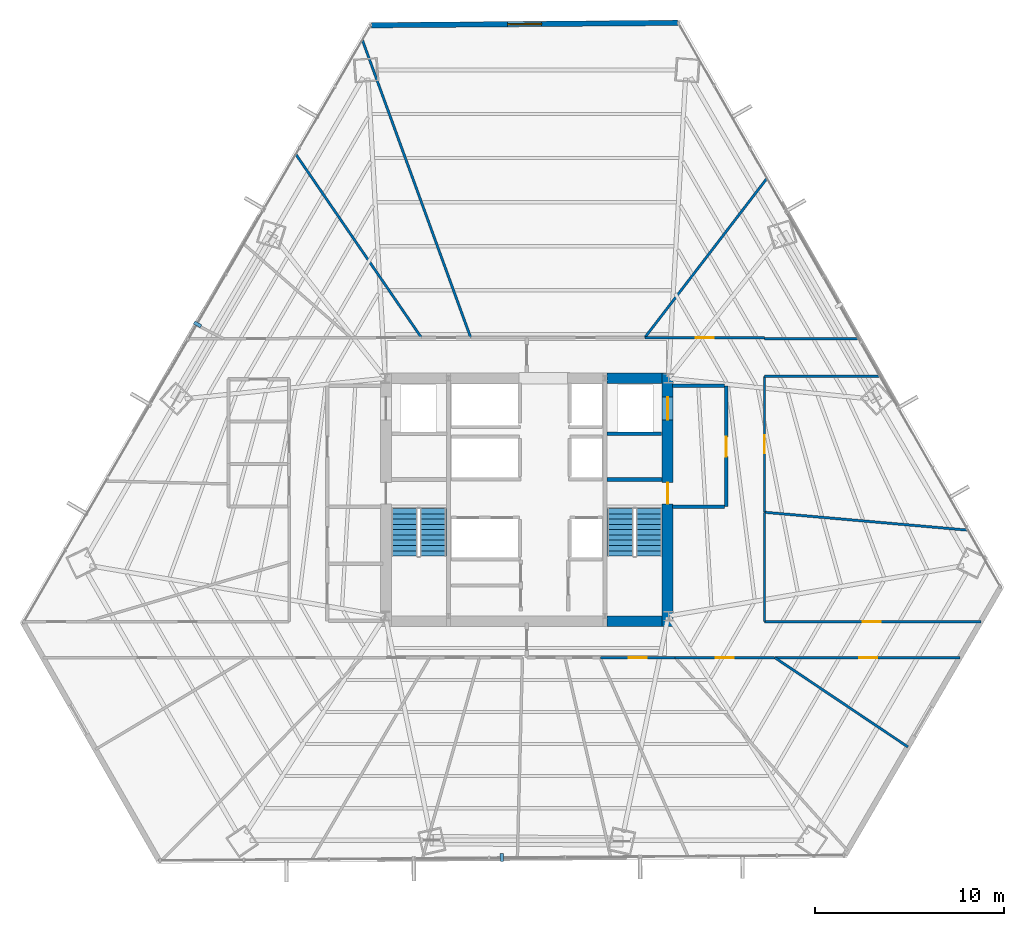
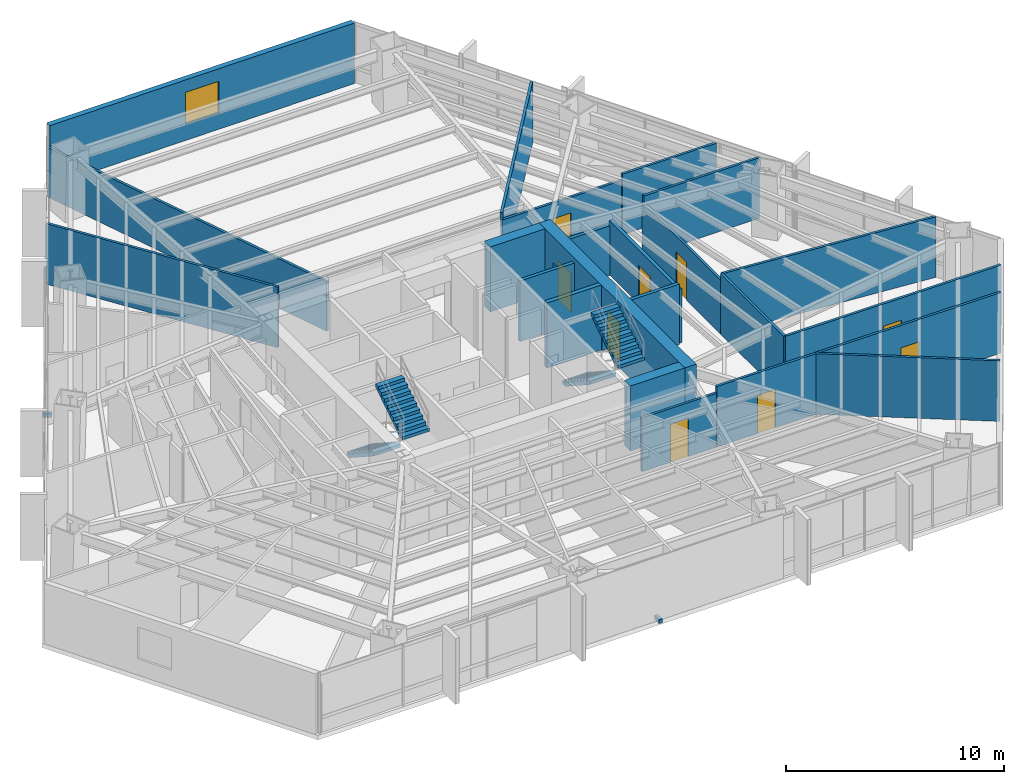
# One storey, part 32 of 36: 23 walls, 9 doors, 4 stair flights, 2 discrete accessories, 1 window, 10 openings, 2 elements without a shape of their own.
"""IFC4 building model written with IfcOpenShell, lengths in metres."""

import ifcopenshell
import ifcopenshell.guid

model = None  # the IFC model being written
_history = None  # IfcOwnerHistory: only IFC2X3 demands one
_inside = {}  # id of a spatial element -> (the spatial element, [elements in it])
_under = {}  # id of a project, library or spatial element -> (it, [spatial elements below it])
_declared = {}  # id of a project -> (the project, [libraries it declares])
_typed = {}  # id of a type object -> (the type object, [elements of that type])
_made_of = {}  # id of a material, layer set ... -> (it, [elements and type objects made of it])


def new_model(schema):
    """Start an empty IFC model of exactly this schema.

    Asked for "IFC4X3", IfcOpenShell would pick the latest addendum, in which some entities
    have other attributes; the version numbers below select the first issue.
    IFC2X3 requires an IfcOwnerHistory on every rooted entity: one is made here for all.
    """
    global model, _history
    if schema == "IFC4X3":
        model = ifcopenshell.file(schema_version=(4, 3, 0, 0))
    else:
        model = ifcopenshell.file(schema=schema)
    _inside.clear()
    _under.clear()
    _declared.clear()
    _typed.clear()
    _made_of.clear()
    _history = None
    if model.schema == "IFC2X3":
        org = make("IfcOrganization", Name="unknown")
        user = make(
            "IfcPersonAndOrganization",
            ThePerson=make("IfcPerson", FamilyName="unknown"),
            TheOrganization=org,
        )
        app = make(
            "IfcApplication",
            ApplicationDeveloper=org,
            Version="unknown",
            ApplicationFullName="unknown",
            ApplicationIdentifier="unknown",
        )
        _history = make(
            "IfcOwnerHistory",
            OwningUser=user,
            OwningApplication=app,
            ChangeAction="ADDED",
            CreationDate=0,
        )
    return model


def make(cls, **values):
    """One entity of the class cls with the attributes given. An attribute that is None is left unset."""
    return model.create_entity(
        cls, **{name: value for name, value in values.items() if value is not None}
    )


def rooted(cls, **values):
    """An entity with a GlobalId (a new one), such as an element, a storey or a relation."""
    return make(cls, GlobalId=ifcopenshell.guid.new(), OwnerHistory=_history, **values)


def si_unit(unit_type, name, prefix=None):
    """IfcSIUnit, for example si_unit("LENGTHUNIT", "METRE", prefix="MILLI")."""
    return make("IfcSIUnit", UnitType=unit_type, Prefix=prefix, Name=name)


def assignment(units):
    """IfcUnitAssignment: the units of a project."""
    return None if units is None else make("IfcUnitAssignment", Units=units)


def point(xyz):
    """IfcCartesianPoint."""
    return None if xyz is None else make("IfcCartesianPoint", Coordinates=xyz)


def direction(xyz):
    """IfcDirection."""
    return None if xyz is None else make("IfcDirection", DirectionRatios=xyz)


def frame(location, z_axis=None, x_axis=None):
    """IfcAxis2Placement3D, a coordinate frame: its origin and axes. An axis left out is left unset."""
    return make(
        "IfcAxis2Placement3D",
        Location=point(location),
        Axis=direction(z_axis),
        RefDirection=direction(x_axis),
    )


def frame_2d(location, x_axis=None):
    """IfcAxis2Placement2D, a coordinate frame in the plane: its origin and x axis."""
    return make(
        "IfcAxis2Placement2D", Location=point(location), RefDirection=direction(x_axis)
    )


def origin():
    """The frame at (0, 0, 0) with its axes left unset."""
    return frame((0.0, 0.0, 0.0))


def origin_2d():
    """The frame at (0, 0) in the plane with its x axis left unset."""
    return frame_2d((0.0, 0.0))


def place(relative_to, where):
    """IfcLocalPlacement: puts the frame where relative to a parent placement (None: the world)."""
    return make(
        "IfcLocalPlacement", PlacementRelTo=relative_to, RelativePlacement=where
    )


def context(
    kind, dimensions, precision=None, world=None, true_north=None, identifier=None
):
    """IfcGeometricRepresentationContext, for example the 3D "Model" context."""
    return make(
        "IfcGeometricRepresentationContext",
        ContextIdentifier=identifier,
        ContextType=kind,
        CoordinateSpaceDimension=dimensions,
        Precision=precision,
        WorldCoordinateSystem=world,
        TrueNorth=true_north,
    )


def subcontext(parent, identifier, kind, view, scale=None):
    """IfcGeometricRepresentationSubContext, for example "Body" below "Model"."""
    return make(
        "IfcGeometricRepresentationSubContext",
        ContextIdentifier=identifier,
        ContextType=kind,
        ParentContext=parent,
        TargetScale=scale,
        TargetView=view,
    )


def project(units=None, contexts=None):
    """IfcProject with its units and contexts."""
    return rooted(
        "IfcProject",
        Name="project",
        RepresentationContexts=contexts,
        UnitsInContext=assignment(units),
    )


def spatial(cls, under=None, at=None, **own):
    """A site, building, storey or space (cls), placed at a placement, below another one or the project."""
    s = rooted(cls, ObjectPlacement=at, **own)
    if under is not None:
        _under.setdefault(under.id(), (under, []))[1].append(s)
    return s


def polyline(points):
    """IfcPolyline through the points."""
    return make("IfcPolyline", Points=[point(p) for p in points])


def profile(cls, at=None, kind="AREA", **sizes):
    """A parametric profile (cls). Its sizes go by their IFC names, for example OverallWidth=200.0."""
    return make(cls, ProfileType=kind, Position=at, **sizes)


def rectangle(**sizes):
    """IfcRectangleProfileDef."""
    return profile("IfcRectangleProfileDef", **sizes)


def outline(outer, holes=None, kind="AREA"):
    """IfcArbitraryClosedProfileDef: a profile drawn as a closed curve; with holes, ...WithVoids."""
    if holes is None:
        return make("IfcArbitraryClosedProfileDef", ProfileType=kind, OuterCurve=outer)
    return make(
        "IfcArbitraryProfileDefWithVoids",
        ProfileType=kind,
        OuterCurve=outer,
        InnerCurves=holes,
    )


def extrude(swept, where, along, depth):
    """IfcExtrudedAreaSolid: the profile swept, set in the frame where, extruded along a direction by depth."""
    return make(
        "IfcExtrudedAreaSolid",
        SweptArea=swept,
        Position=where,
        ExtrudedDirection=direction(along),
        Depth=depth,
    )


def shape(context_of_items, identifier, shape_type, items):
    """IfcShapeRepresentation: the items that make up one representation, for example the "Body"."""
    return make(
        "IfcShapeRepresentation",
        ContextOfItems=context_of_items,
        RepresentationIdentifier=identifier,
        RepresentationType=shape_type,
        Items=items,
    )


def source(mapping_origin, context_of_items, identifier, shape_type, items):
    """IfcRepresentationMap: a shape defined once, which mapped items show again and again."""
    return make(
        "IfcRepresentationMap",
        MappingOrigin=mapping_origin,
        MappedRepresentation=shape(context_of_items, identifier, shape_type, items),
    )


def transform(
    local_origin,
    x_axis=None,
    y_axis=None,
    z_axis=None,
    scale=None,
    scale2=None,
    scale3=None,
    uniform=True,
):
    """IfcCartesianTransformationOperator3D, or its non-uniform kind. x_axis, y_axis, z_axis: its Axis1, 2, 3."""
    if uniform:
        return make(
            "IfcCartesianTransformationOperator3D",
            Axis1=direction(x_axis),
            Axis2=direction(y_axis),
            LocalOrigin=point(local_origin),
            Scale=scale,
            Axis3=direction(z_axis),
        )
    return make(
        "IfcCartesianTransformationOperator3DnonUniform",
        Axis1=direction(x_axis),
        Axis2=direction(y_axis),
        LocalOrigin=point(local_origin),
        Scale=scale,
        Axis3=direction(z_axis),
        Scale2=scale2,
        Scale3=scale3,
    )


def mapped(mapping_source, mapping_target):
    """IfcMappedItem: shows the shape of a source again, moved by a transform."""
    return make(
        "IfcMappedItem", MappingSource=mapping_source, MappingTarget=mapping_target
    )


def material(Name=None, Category=None):
    """IfcMaterial."""
    return make("IfcMaterial", Name=Name, Category=Category)


def layer(
    of_material, thickness, ventilated=None, Name=None, Category=None, Priority=None
):
    """IfcMaterialLayer: one layer of a wall or slab, of a material (None: an air gap)."""
    return make(
        "IfcMaterialLayer",
        Material=of_material,
        LayerThickness=thickness,
        IsVentilated=ventilated,
        Name=Name,
        Category=Category,
        Priority=Priority,
    )


def layer_set(layers, Name=None):
    """IfcMaterialLayerSet."""
    return make("IfcMaterialLayerSet", MaterialLayers=layers, LayerSetName=Name)


def made_of(thing, what):
    """Note that an element or type object is made of a material, layer set ...; save() writes the relation."""
    if what is not None:
        _made_of.setdefault(what.id(), (what, []))[1].append(thing)
    return thing


def type_object(cls, material=None, **own):
    """A type object (cls), such as IfcWallType, which elements share."""
    return made_of(rooted(cls, **own), material)


def type_shapes(of_type, sources):
    """Give a type object the sources (RepresentationMaps) that its elements show as mapped items."""
    of_type.RepresentationMaps = sources


def element(
    cls,
    number,
    at=None,
    inside=None,
    cuts=None,
    type_object=None,
    material=None,
    context=None,
    identifier="Body",
    shape_type=None,
    held_by="IfcProductDefinitionShape",
    body=None,
    shapes=None,
    **own,
):
    """One element of the class cls, such as IfcWall. Its Tag is "e" and its number.

    at: its placement. inside: the storey or other place that contains it. cuts: it is an
    opening in that element (IfcRelVoidsElement). A single representation is given by context,
    identifier, shape_type and body (its items); several are given by shapes. held_by: the class
    of the entity that holds the representations. save() writes the other relations.
    """
    e = rooted(cls, Tag="e%d" % number, ObjectPlacement=at, **own)
    if body is not None:
        shapes = [shape(context, identifier, shape_type, body)]
    if shapes is not None:
        e.Representation = make(held_by, Representations=shapes)
    if inside is not None:
        _inside.setdefault(inside.id(), (inside, []))[1].append(e)
    if cuts is not None:
        rooted(
            "IfcRelVoidsElement", RelatingBuildingElement=cuts, RelatedOpeningElement=e
        )
    if type_object is not None:
        _typed.setdefault(type_object.id(), (type_object, []))[1].append(e)
    return made_of(e, material)


def fill(opening, filler):
    """IfcRelFillsElement: the door or window that sits in an opening."""
    return rooted(
        "IfcRelFillsElement",
        RelatingOpeningElement=opening,
        RelatedBuildingElement=filler,
    )


def aggregate(whole, parts):
    """IfcRelAggregates: a whole, such as a stair, and the parts it consists of."""
    return rooted("IfcRelAggregates", RelatingObject=whole, RelatedObjects=parts)


def save(model, path):
    """Write the relations noted so far, then the file.

    IfcRelAggregates (storeys below a building ...), IfcRelContainedInSpatialStructure (elements
    in a storey), IfcRelDefinesByType, IfcRelAssociatesMaterial and IfcRelDeclares: one each for
    every whole, place, type object, material and project.
    """
    for whole, parts in _under.values():
        aggregate(whole, parts)
    for where, things in _inside.values():
        rooted(
            "IfcRelContainedInSpatialStructure",
            RelatedElements=things,
            RelatingStructure=where,
        )
    for kind, things in _typed.values():
        rooted("IfcRelDefinesByType", RelatedObjects=things, RelatingType=kind)
    for what, things in _made_of.values():
        rooted("IfcRelAssociatesMaterial", RelatedObjects=things, RelatingMaterial=what)
    for by, libraries in _declared.values():
        rooted("IfcRelDeclares", RelatingContext=by, RelatedDefinitions=libraries)
    model.write(path)


model = new_model("IFC4")

# Units and contexts
model_context = context("Model", 3, precision=1e-05, world=origin(), true_north=direction((0.0, 1.0)))
body_context = subcontext(model_context, "Body", "Model", "MODEL_VIEW")
ifc_project = project(units=[si_unit("LENGTHUNIT", "METRE"), si_unit("AREAUNIT", "SQUARE_METRE"), si_unit("VOLUMEUNIT", "CUBIC_METRE"), si_unit("PLANEANGLEUNIT", "RADIAN"), si_unit("MASSUNIT", "GRAM", prefix="KILO")], contexts=[model_context])

# Site, building, storey
site_placement = place(None, origin())
site = spatial("IfcSite", under=ifc_project, at=site_placement, CompositionType="ELEMENT")
building_placement = place(site_placement, origin())
building = spatial("IfcBuilding", under=site, at=building_placement, Name="Caelisora Broadcast Tower", CompositionType="ELEMENT")
storey_placement = place(building_placement, frame((0.0, 0.0, 60.449951171875)))
storey = spatial("IfcBuildingStorey", under=building, at=storey_placement, Name="L15", CompositionType="ELEMENT", Elevation=60.449951171875)

# Wall, openings, doors
ifc_material_1 = material(Name="Concrete 65 MPa (AS 3600 S65)", Category="concrete")
ifc_layer_1 = layer(ifc_material_1, 0.60009765625, Name="Concrete 65 MPa (AS 3600 S65)")
ifc_layer_set_1 = layer_set([ifc_layer_1], Name="Concrete 65 MPa (AS 3600 S65)")
wall_type_1 = type_object("IfcWallType", Name="CW1", PredefinedType="SHEAR", material=ifc_layer_set_1)
wall_1_placement = place(storey_placement, frame((45.4599609375, 16.85009765625, 0.0), z_axis=(0.0, 0.0, 1.0), x_axis=(0.0, 1.0, 0.0)))
wall_1 = element("IfcWall", 1, at=wall_1_placement, inside=storey, type_object=wall_type_1, Name="L15 core shear wall CW1", PredefinedType="SHEAR", context=body_context, shape_type="SweptSolid", body=[
    extrude(rectangle(XDim=13.4248046875, YDim=0.60009765625, at=frame_2d((6.71240234375, 0.0))), origin(), (0.0, 0.0, 1.0), 3.650146484375),
])
opening_1_placement = place(wall_1_placement, frame((6.5, 0.0, 0.0)))
opening_1 = element("IfcOpeningElement", 2, at=opening_1_placement, cuts=wall_1, Name="Opening FD04", PredefinedType="OPENING", context=body_context, shape_type="SweptSolid", body=[
    extrude(rectangle(XDim=1.1201171875, YDim=2.14990234375, at=frame_2d((0.56005859375, 1.074951171875))), frame((0.0, 0.31201171875, 0.0), z_axis=(0.0, -1.0, 0.0), x_axis=(1.0, 0.0, 0.0)), (0.0, 0.0, 1.0), 0.6240234375),
])
opening_2_placement = place(wall_1_placement, frame((10.949951171875, 0.0, 0.0)))
opening_2 = element("IfcOpeningElement", 3, at=opening_2_placement, cuts=wall_1, Name="Opening LD04", PredefinedType="OPENING", context=body_context, shape_type="SweptSolid", body=[
    extrude(rectangle(XDim=1.199951171875, YDim=2.199951171875, at=frame_2d((0.60009765625, 1.10009765625))), frame((0.0, 0.31201171875, 0.0), z_axis=(0.0, -1.0, 0.0), x_axis=(1.0, 0.0, 0.0)), (0.0, 0.0, 1.0), 0.6240234375),
])
ifc_material_2 = material(Name="Pressurised Fire-Isolated Stair Door", Category="steel")
door_type_1 = type_object("IfcDoorType", Name="FD04", OperationType="NOTDEFINED", PredefinedType="DOOR", material=ifc_material_2)
door_1_placement = place(opening_1_placement, origin())
door_1 = element("IfcDoor", 4, at=door_1_placement, inside=storey, type_object=door_type_1, Name="L15 door FD04 (L15-DR-ST2)", OperationType="SINGLE_SWING_RIGHT", OverallHeight=2.14990234375, OverallWidth=1.1201171875, PredefinedType="DOOR", context=body_context, shape_type="SweptSolid", body=[
    extrude(rectangle(XDim=1.1201171875, YDim=2.14990234375, at=frame_2d((0.56005859375, 1.074951171875))), frame((0.0, 0.02490234375, 0.0), z_axis=(0.0, -1.0, 0.0), x_axis=(1.0, 0.0, 0.0)), (0.0, 0.0, 1.0), 0.050048828125),
])
fill(opening_1, door_1)
ifc_material_3 = material(Name="Emergency Firefighting Lift Sliding Landing Door", Category="steel")
door_type_2 = type_object("IfcDoorType", Name="LD04", OperationType="NOTDEFINED", PredefinedType="DOOR", material=ifc_material_3)
door_2_placement = place(opening_2_placement, origin())
door_2 = element("IfcDoor", 5, at=door_2_placement, inside=storey, type_object=door_type_2, Name="L15 door LD04 (L15-LD-FFL2)", OperationType="SLIDING_TO_RIGHT", OverallHeight=2.199951171875, OverallWidth=1.199951171875, PredefinedType="DOOR", context=body_context, shape_type="SweptSolid", body=[
    extrude(rectangle(XDim=1.199951171875, YDim=2.199951171875, at=frame_2d((0.60009765625, 1.10009765625))), frame((0.0, 0.02490234375, 0.0), z_axis=(0.0, -1.0, 0.0), x_axis=(1.0, 0.0, 0.0)), (0.0, 0.0, 1.0), 0.050048828125),
])
fill(opening_2, door_2)

# Walls
ifc_layer_2 = layer(ifc_material_1, 0.550048828125, Name="Concrete 65 MPa (AS 3600 S65)")
ifc_layer_set_2 = layer_set([ifc_layer_2], Name="Concrete 65 MPa (AS 3600 S65)")
wall_type_2 = type_object("IfcWallType", Name="CW4", PredefinedType="SHEAR", material=ifc_layer_set_2)
for number, where, z_axis, x_axis, name in (
    (6, (42.260009765625, 17.125, 0.0), (0.0, 0.0, 1.0), (1.0, 0.0, 0.0), "L15 core shear wall CW4"),
    (7, (42.260009765625, 30.0, 0.0), (0.0, 0.0, 1.0), (1.0, 0.0, 0.0), "L15 core shear wall CW4"),
):
    element("IfcWall", number, at=place(storey_placement, frame(where, z_axis=z_axis, x_axis=x_axis)), inside=storey, type_object=wall_type_2, Name=name, PredefinedType="SHEAR", context=body_context, shape_type="SweptSolid", body=[
        extrude(rectangle(XDim=2.89990234375, YDim=0.550048828125, at=frame_2d((1.449951171875, 0.0))), origin(), (0.0, 0.0, 1.0), 3.650146484375),
    ])
ifc_material_4 = material(Name="Concrete 50 MPa (AS 3600 S50)", Category="concrete")
ifc_layer_3 = layer(ifc_material_4, 0.219970703125, Name="Concrete 50 MPa (AS 3600 S50)")
ifc_layer_set_3 = layer_set([ifc_layer_3], Name="Concrete 50 MPa (AS 3600 S50)")
wall_type_3 = type_object("IfcWallType", Name="CW7", PredefinedType="SHEAR", material=ifc_layer_set_3)
wall_2_placement = place(storey_placement, frame((42.260009765625, 24.639892578125, 0.0), z_axis=(0.0, 0.0, 1.0), x_axis=(1.0, 0.0, 0.0)))
element("IfcWall", 8, at=wall_2_placement, inside=storey, type_object=wall_type_3, Name="L15 core shear wall CW7", PredefinedType="SHEAR", context=body_context, shape_type="SweptSolid", body=[
    extrude(rectangle(XDim=2.89990234375, YDim=0.219970703125, at=frame_2d((1.449951171875, 0.0))), origin(), (0.0, 0.0, 1.0), 3.650146484375),
])

# Wall, opening, window
ifc_material_5 = material(Name="Insulated Terracotta Spandrel Wall System", Category="masonry")
ifc_layer_4 = layer(ifc_material_5, 0.280029296875, Name="Insulated Terracotta Spandrel Wall System")
ifc_layer_set_4 = layer_set([ifc_layer_4], Name="Insulated Terracotta Spandrel Wall System")
wall_type_4 = type_object("IfcWallType", Name="EW1", PredefinedType="STANDARD", material=ifc_layer_set_4)
wall_3_placement = place(storey_placement, frame((29.77099609375, 48.709228515625, 0.0), z_axis=(0.0, 0.0, 1.0), x_axis=(0.999968583152, 0.007926708633, 0.0)))
wall_3 = element("IfcWall", 9, at=wall_3_placement, inside=storey, type_object=wall_type_4, Name="L15 exterior envelope wall EW1", PredefinedType="STANDARD", context=body_context, shape_type="SweptSolid", body=[
    extrude(rectangle(XDim=16.2314453125, YDim=0.280029296875, at=frame_2d((8.11572265625, 0.0))), origin(), (0.0, 0.0, 1.0), 3.400146484375),
])
opening_3_placement = place(wall_3_placement, frame((7.219970703125, 0.0, 0.89990234375)))
opening_3 = element("IfcOpeningElement", 10, at=opening_3_placement, cuts=wall_3, Name="Opening W01", PredefinedType="OPENING", context=body_context, shape_type="SweptSolid", body=[
    extrude(rectangle(XDim=1.800048828125, YDim=1.800048828125, at=frame_2d((0.89990234375, 0.89990234375))), frame((0.0, 0.152099609375, 0.0), z_axis=(0.0, -1.0, 0.0), x_axis=(1.0, 0.0, 0.0)), (0.0, 0.0, 1.0), 0.303955078125),
])
ifc_material_6 = material(Name="Double Glazed Terracotta-Framed Vision Window", Category="glass")
window_type = type_object("IfcWindowType", Name="W01", PartitioningType="SINGLE_PANEL", PredefinedType="WINDOW", material=ifc_material_6)
window_placement = place(opening_3_placement, origin())
window = element("IfcWindow", 11, at=window_placement, inside=storey, type_object=window_type, Name="L15 window W01 (L15-WN-CH8)", OverallHeight=1.800048828125, OverallWidth=1.800048828125, PartitioningType="SINGLE_PANEL", PredefinedType="WINDOW", context=body_context, shape_type="SweptSolid", body=[
    extrude(rectangle(XDim=1.800048828125, YDim=1.800048828125, at=frame_2d((0.89990234375, 0.89990234375))), frame((0.0, 0.030029296875, 0.0), z_axis=(0.0, -1.0, 0.0), x_axis=(1.0, 0.0, 0.0)), (0.0, 0.0, 1.0), 0.06005859375),
])
fill(opening_3, window)

# Wall, opening, door
ifc_material_7 = material(Name="Fire-Rated Gypsum Shaft and Compartment Wall", Category="gypsum")
ifc_layer_5 = layer(ifc_material_7, 0.179931640625, Name="Fire-Rated Gypsum Shaft and Compartment Wall")
ifc_layer_set_5 = layer_set([ifc_layer_5], Name="Fire-Rated Gypsum Shaft and Compartment Wall")
wall_type_5 = type_object("IfcWallType", Name="PW2", PredefinedType="PARTITIONING", material=ifc_layer_set_5)
wall_4_placement = place(storey_placement, frame((48.580078125, 23.199951171875, 0.0), z_axis=(0.0, 0.0, 1.0), x_axis=(0.0, 1.0, 0.0)))
wall_4 = element("IfcWall", 12, at=wall_4_placement, inside=storey, type_object=wall_type_5, Name="L15 fire compartment wall PW2", PredefinedType="PARTITIONING", context=body_context, shape_type="SweptSolid", body=[
    extrude(rectangle(XDim=6.400146484375, YDim=0.179931640625, at=frame_2d((3.2001953125, 0.0))), origin(), (0.0, 0.0, 1.0), 3.0263671875),
])
opening_4_placement = place(wall_4_placement, frame((2.64990234375, 0.0, 0.0)))
opening_4 = element("IfcOpeningElement", 13, at=opening_4_placement, cuts=wall_4, Name="Opening FD02", PredefinedType="OPENING", context=body_context, shape_type="SweptSolid", body=[
    extrude(rectangle(XDim=1.050048828125, YDim=2.14990234375, at=frame_2d((0.52490234375, 1.074951171875))), frame((0.0, 0.10205078125, 0.0), z_axis=(0.0, -1.0, 0.0), x_axis=(1.0, 0.0, 0.0)), (0.0, 0.0, 1.0), 0.203857421875),
])
ifc_material_8 = material(Name="Single-Leaf Steel Fire Lobby Door", Category="steel")
door_type_3 = type_object("IfcDoorType", Name="FD02", OperationType="NOTDEFINED", PredefinedType="DOOR", material=ifc_material_8)
door_3_placement = place(opening_4_placement, origin())
door_3 = element("IfcDoor", 14, at=door_3_placement, inside=storey, type_object=door_type_3, Name="L15 door FD02 (L15-DR-P04D1)", OperationType="SINGLE_SWING_RIGHT", OverallHeight=2.14990234375, OverallWidth=1.050048828125, PredefinedType="DOOR", context=body_context, shape_type="SweptSolid", body=[
    extrude(rectangle(XDim=1.050048828125, YDim=2.14990234375, at=frame_2d((0.52490234375, 1.074951171875))), frame((0.0, 0.02490234375, 0.0), z_axis=(0.0, -1.0, 0.0), x_axis=(1.0, 0.0, 0.0)), (0.0, 0.0, 1.0), 0.050048828125),
])
fill(opening_4, door_3)

# Walls
wall_5_placement = place(storey_placement, frame((45.719970703125, 23.199951171875, 0.0), z_axis=(0.0, 0.0, 1.0), x_axis=(1.0, 0.0, 0.0)))
element("IfcWall", 15, at=wall_5_placement, inside=storey, type_object=wall_type_5, Name="L15 fire compartment wall PW2", PredefinedType="PARTITIONING", context=body_context, shape_type="SweptSolid", body=[
    extrude(rectangle(XDim=2.760009765625, YDim=0.179931640625, at=frame_2d((1.3798828125, 0.0))), origin(), (0.0, 0.0, 1.0), 3.400146484375),
])
wall_6_placement = place(storey_placement, frame((45.719970703125, 29.60009765625, 0.0), z_axis=(0.0, 0.0, 1.0), x_axis=(1.0, 0.0, 0.0)))
element("IfcWall", 16, at=wall_6_placement, inside=storey, type_object=wall_type_5, Name="L15 fire compartment wall PW2", PredefinedType="PARTITIONING", context=body_context, shape_type="SweptSolid", body=[
    extrude(rectangle(XDim=2.760009765625, YDim=0.179931640625, at=frame_2d((1.3798828125, 0.0))), origin(), (0.0, 0.0, 1.0), 2.782958984375),
])
wall_7_placement = place(storey_placement, frame((42.239990234375, 27.070068359375, 0.0), z_axis=(0.0, 0.0, 1.0), x_axis=(1.0, 0.0, 0.0)))
element("IfcWall", 17, at=wall_7_placement, inside=storey, type_object=wall_type_5, Name="L15 fire compartment wall PW2", PredefinedType="PARTITIONING", context=body_context, shape_type="SweptSolid", body=[
    extrude(rectangle(XDim=2.89990234375, YDim=0.179931640625, at=frame_2d((1.449951171875, 0.0))), origin(), (0.0, 0.0, 1.0), 3.400146484375),
])
ifc_material_9 = material(Name="Acoustic Steel-Stud Plasterboard Partition", Category="gypsum")
ifc_layer_6 = layer(ifc_material_9, 0.1298828125, Name="Acoustic Steel-Stud Plasterboard Partition")
ifc_layer_set_6 = layer_set([ifc_layer_6], Name="Acoustic Steel-Stud Plasterboard Partition")
wall_type_6 = type_object("IfcWallType", Name="PW3", PredefinedType="PARTITIONING", material=ifc_layer_set_6)
wall_8_placement = place(storey_placement, frame((29.28515625, 47.935791015625, 0.0), z_axis=(0.0, 0.0, 1.0), x_axis=(0.341977676863, -0.939708076227, 0.0)))
element("IfcWall", 18, at=wall_8_placement, inside=storey, type_object=wall_type_6, Name="L15 internal partition PW3", PredefinedType="PARTITIONING", context=body_context, shape_type="SweptSolid", body=[
    extrude(rectangle(XDim=16.793212890625, YDim=0.1298828125, at=frame_2d((8.396484375, 0.0))), origin(), (0.0, 0.0, 1.0), 2.782958984375),
])
wall_9_placement = place(storey_placement, frame((25.758544921875, 41.87451171875, 0.0), z_axis=(0.0, 0.0, 1.0), x_axis=(0.565123589596, -0.825006259662, 0.0)))
element("IfcWall", 19, at=wall_9_placement, inside=storey, type_object=wall_type_6, Name="L15 internal partition PW3", PredefinedType="PARTITIONING", context=body_context, shape_type="SweptSolid", body=[
    extrude(rectangle(XDim=11.7822265625, YDim=0.1298828125, at=frame_2d((5.89111328125, 0.0))), origin(), (0.0, 0.0, 1.0), 3.400146484375),
])

# Wall, opening, door
wall_10_placement = place(storey_placement, frame((62.06298828125, 17.10009765625, 0.0), z_axis=(0.0, 0.0, 1.0), x_axis=(-1.0, 0.0, 0.0)))
wall_10 = element("IfcWall", 20, at=wall_10_placement, inside=storey, type_object=wall_type_6, Name="L15 internal partition PW3", PredefinedType="PARTITIONING", context=body_context, shape_type="SweptSolid", body=[
    extrude(rectangle(XDim=11.4580078125, YDim=0.1298828125, at=frame_2d((5.72900390625, 0.0))), origin(), (0.0, 0.0, 1.0), 3.400146484375),
])
opening_5_placement = place(wall_10_placement, frame((5.302978515625, 0.0, 0.0)))
opening_5 = element("IfcOpeningElement", 21, at=opening_5_placement, cuts=wall_10, Name="Opening D01", PredefinedType="OPENING", context=body_context, shape_type="SweptSolid", body=[
    extrude(rectangle(XDim=0.9599609375, YDim=2.14990234375, at=frame_2d((0.47998046875, 1.074951171875))), frame((0.0, 0.076904296875, 0.0), z_axis=(0.0, -1.0, 0.0), x_axis=(1.0, 0.0, 0.0)), (0.0, 0.0, 1.0), 0.15380859375),
])
ifc_material_10 = material(Name="Solid-Core Timber Acoustic Office Door", Category="wood")
door_type_4 = type_object("IfcDoorType", Name="D01", OperationType="NOTDEFINED", PredefinedType="DOOR", material=ifc_material_10)
door_4_placement = place(opening_5_placement, origin())
door_4 = element("IfcDoor", 22, at=door_4_placement, inside=storey, type_object=door_type_4, Name="L15 door D01 (L15-DR-P34D1)", OperationType="SINGLE_SWING_LEFT", OverallHeight=2.14990234375, OverallWidth=0.9599609375, PredefinedType="DOOR", context=body_context, shape_type="SweptSolid", body=[
    extrude(rectangle(XDim=0.9599609375, YDim=2.14990234375, at=frame_2d((0.47998046875, 1.074951171875))), frame((0.0, 0.02490234375, 0.0), z_axis=(0.0, -1.0, 0.0), x_axis=(1.0, 0.0, 0.0)), (0.0, 0.0, 1.0), 0.050048828125),
])
fill(opening_5, door_4)

# Walls
wall_11_placement = place(storey_placement, frame((50.60498046875, 22.89990234375, 0.0), z_axis=(0.0, 0.0, 1.0), x_axis=(0.996147935278, -0.087688602691, 0.0)))
element("IfcWall", 23, at=wall_11_placement, inside=storey, type_object=wall_type_6, Name="L15 internal partition PW3", PredefinedType="PARTITIONING", context=body_context, shape_type="SweptSolid", body=[
    extrude(rectangle(XDim=10.833251953125, YDim=0.1298828125, at=frame_2d((5.41650390625, 0.0))), origin(), (0.0, 0.0, 1.0), 3.400146484375),
])
wall_12_placement = place(storey_placement, frame((44.2529296875, 32.154052734375, 0.0), z_axis=(0.0, 0.0, 1.0), x_axis=(0.608594100737, 0.793481707759, 0.0)))
element("IfcWall", 24, at=wall_12_placement, inside=storey, type_object=wall_type_6, Name="L15 internal partition PW3", PredefinedType="PARTITIONING", context=body_context, shape_type="SweptSolid", body=[
    extrude(rectangle(XDim=10.65625, YDim=0.1298828125, at=frame_2d((5.328125, 0.0))), origin(), (0.0, 0.0, 1.0), 3.400146484375),
])

# Wall, opening, door
wall_13_placement = place(storey_placement, frame((51.14501953125, 15.199951171875, 0.0), z_axis=(0.0, 0.0, 1.0), x_axis=(1.0, 0.0, 0.0)))
wall_13 = element("IfcWall", 25, at=wall_13_placement, inside=storey, type_object=wall_type_6, Name="L15 internal partition PW3", PredefinedType="PARTITIONING", context=body_context, shape_type="SweptSolid", body=[
    extrude(rectangle(XDim=9.8125, YDim=0.1298828125, at=frame_2d((4.90625, 0.0))), origin(), (0.0, 0.0, 1.0), 3.400146484375),
])
opening_6_placement = place(wall_13_placement, frame((4.48193359375, 0.0, 0.0)))
opening_6 = element("IfcOpeningElement", 26, at=opening_6_placement, cuts=wall_13, Name="Opening D01", PredefinedType="OPENING", context=body_context, shape_type="SweptSolid", body=[
    extrude(rectangle(XDim=0.9599609375, YDim=2.14990234375, at=frame_2d((0.47998046875, 1.074951171875))), frame((0.0, 0.076904296875, 0.0), z_axis=(0.0, -1.0, 0.0), x_axis=(1.0, 0.0, 0.0)), (0.0, 0.0, 1.0), 0.15380859375),
])
door_5_placement = place(opening_6_placement, origin())
door_5 = element("IfcDoor", 27, at=door_5_placement, inside=storey, type_object=door_type_4, Name="L15 door D01 (L15-DR-P43D1)", OperationType="SINGLE_SWING_RIGHT", OverallHeight=2.14990234375, OverallWidth=0.9599609375, PredefinedType="DOOR", context=body_context, shape_type="SweptSolid", body=[
    extrude(rectangle(XDim=0.9599609375, YDim=2.14990234375, at=frame_2d((0.47998046875, 1.074951171875))), frame((0.0, 0.02490234375, 0.0), z_axis=(0.0, -1.0, 0.0), x_axis=(1.0, 0.0, 0.0)), (0.0, 0.0, 1.0), 0.050048828125),
])
fill(opening_6, door_5)

# Wall
wall_14_placement = place(storey_placement, frame((51.14404296875, 15.197021484375, 0.0), z_axis=(0.0, 0.0, 1.0), x_axis=(0.830446891932, -0.557097800822, 0.0)))
element("IfcWall", 28, at=wall_14_placement, inside=storey, type_object=wall_type_6, Name="L15 internal partition PW3", PredefinedType="PARTITIONING", context=body_context, shape_type="SweptSolid", body=[
    extrude(rectangle(XDim=8.498291015625, YDim=0.1298828125, at=frame_2d((4.2490234375, 0.0))), origin(), (0.0, 0.0, 1.0), 3.400146484375),
])

# Wall, opening, door
wall_15_placement = place(storey_placement, frame((50.60009765625, 22.905029296875, 0.0), z_axis=(0.0, 0.0, 1.0), x_axis=(0.0, 1.0, 0.0)))
wall_15 = element("IfcWall", 29, at=wall_15_placement, inside=storey, type_object=wall_type_6, Name="L15 internal partition PW3", PredefinedType="PARTITIONING", context=body_context, shape_type="SweptSolid", body=[
    extrude(rectangle(XDim=7.18994140625, YDim=0.1298828125, at=frame_2d((3.594970703125, 0.0))), origin(), (0.0, 0.0, 1.0), 3.0263671875),
])
opening_7_placement = place(wall_15_placement, frame((3.114990234375, 0.0, 0.0)))
opening_7 = element("IfcOpeningElement", 30, at=opening_7_placement, cuts=wall_15, Name="Opening D01", PredefinedType="OPENING", context=body_context, shape_type="SweptSolid", body=[
    extrude(rectangle(XDim=0.9599609375, YDim=2.14990234375, at=frame_2d((0.47998046875, 1.074951171875))), frame((0.0, 0.076904296875, 0.0), z_axis=(0.0, -1.0, 0.0), x_axis=(1.0, 0.0, 0.0)), (0.0, 0.0, 1.0), 0.15380859375),
])
door_6_placement = place(opening_7_placement, origin())
door_6 = element("IfcDoor", 31, at=door_6_placement, inside=storey, type_object=door_type_4, Name="L15 door D01 (L15-DR-P47D1)", OperationType="SINGLE_SWING_LEFT", OverallHeight=2.14990234375, OverallWidth=0.9599609375, PredefinedType="DOOR", context=body_context, shape_type="SweptSolid", body=[
    extrude(rectangle(XDim=0.9599609375, YDim=2.14990234375, at=frame_2d((0.47998046875, 1.074951171875))), frame((0.0, 0.02490234375, 0.0), z_axis=(0.0, -1.0, 0.0), x_axis=(1.0, 0.0, 0.0)), (0.0, 0.0, 1.0), 0.050048828125),
])
fill(opening_7, door_6)

wall_16_placement = place(storey_placement, frame((44.2548828125, 32.14990234375, 0.0), z_axis=(0.0, 0.0, 1.0), x_axis=(1.0, 0.0, 0.0)))
wall_16 = element("IfcWall", 32, at=wall_16_placement, inside=storey, type_object=wall_type_6, Name="L15 internal partition PW3", PredefinedType="PARTITIONING", context=body_context, shape_type="SweptSolid", body=[
    extrude(rectangle(XDim=6.340087890625, YDim=0.1298828125, at=frame_2d((3.169921875, 0.0))), origin(), (0.0, 0.0, 1.0), 3.0263671875),
])
opening_8_placement = place(wall_16_placement, frame((2.68994140625, 0.0, 0.0)))
opening_8 = element("IfcOpeningElement", 33, at=opening_8_placement, cuts=wall_16, Name="Opening D01", PredefinedType="OPENING", context=body_context, shape_type="SweptSolid", body=[
    extrude(rectangle(XDim=0.9599609375, YDim=2.14990234375, at=frame_2d((0.47998046875, 1.074951171875))), frame((0.0, 0.076904296875, 0.0), z_axis=(0.0, -1.0, 0.0), x_axis=(1.0, 0.0, 0.0)), (0.0, 0.0, 1.0), 0.15380859375),
])
door_7_placement = place(opening_8_placement, origin())
door_7 = element("IfcDoor", 34, at=door_7_placement, inside=storey, type_object=door_type_4, Name="L15 door D01 (L15-DR-P50D1)", OperationType="SINGLE_SWING_RIGHT", OverallHeight=2.14990234375, OverallWidth=0.9599609375, PredefinedType="DOOR", context=body_context, shape_type="SweptSolid", body=[
    extrude(rectangle(XDim=0.9599609375, YDim=2.14990234375, at=frame_2d((0.47998046875, 1.074951171875))), frame((0.0, 0.02490234375, 0.0), z_axis=(0.0, -1.0, 0.0), x_axis=(1.0, 0.0, 0.0)), (0.0, 0.0, 1.0), 0.050048828125),
])
fill(opening_8, door_7)

# Walls
wall_17_placement = place(storey_placement, frame((50.60498046875, 30.10009765625, 0.0), z_axis=(0.0, 0.0, 1.0), x_axis=(1.0, 0.0, 0.0)))
element("IfcWall", 35, at=wall_17_placement, inside=storey, type_object=wall_type_6, Name="L15 internal partition PW3", PredefinedType="PARTITIONING", context=body_context, shape_type="SweptSolid", body=[
    extrude(rectangle(XDim=6.13623046875, YDim=0.1298828125, at=frame_2d((3.068115234375, 0.0))), origin(), (0.0, 0.0, 1.0), 3.400146484375),
])
wall_18_placement = place(storey_placement, frame((50.60009765625, 17.10498046875, 0.0), z_axis=(0.0, 0.0, 1.0), x_axis=(0.0, 1.0, 0.0)))
element("IfcWall", 36, at=wall_18_placement, inside=storey, type_object=wall_type_6, Name="L15 internal partition PW3", PredefinedType="PARTITIONING", context=body_context, shape_type="SweptSolid", body=[
    extrude(rectangle(XDim=5.7900390625, YDim=0.1298828125, at=frame_2d((2.89501953125, 0.0))), origin(), (0.0, 0.0, 1.0), 3.400146484375),
])

# Wall, opening, door
wall_19_placement = place(storey_placement, frame((45.864990234375, 15.199951171875, 0.0), z_axis=(0.0, 0.0, 1.0), x_axis=(1.0, 0.0, 0.0)))
wall_19 = element("IfcWall", 37, at=wall_19_placement, inside=storey, type_object=wall_type_6, Name="L15 internal partition PW3", PredefinedType="PARTITIONING", context=body_context, shape_type="SweptSolid", body=[
    extrude(rectangle(XDim=5.27001953125, YDim=0.1298828125, at=frame_2d((2.635009765625, 0.0))), origin(), (0.0, 0.0, 1.0), 3.400146484375),
])
opening_9_placement = place(wall_19_placement, frame((2.155029296875, 0.0, 0.0)))
opening_9 = element("IfcOpeningElement", 38, at=opening_9_placement, cuts=wall_19, Name="Opening D01", PredefinedType="OPENING", context=body_context, shape_type="SweptSolid", body=[
    extrude(rectangle(XDim=0.9599609375, YDim=2.14990234375, at=frame_2d((0.47998046875, 1.074951171875))), frame((0.0, 0.076904296875, 0.0), z_axis=(0.0, -1.0, 0.0), x_axis=(1.0, 0.0, 0.0)), (0.0, 0.0, 1.0), 0.15380859375),
])
door_8_placement = place(opening_9_placement, origin())
door_8 = element("IfcDoor", 39, at=door_8_placement, inside=storey, type_object=door_type_4, Name="L15 door D01 (L15-DR-P55D1)", OperationType="SINGLE_SWING_LEFT", OverallHeight=2.14990234375, OverallWidth=0.9599609375, PredefinedType="DOOR", context=body_context, shape_type="SweptSolid", body=[
    extrude(rectangle(XDim=0.9599609375, YDim=2.14990234375, at=frame_2d((0.47998046875, 1.074951171875))), frame((0.0, 0.02490234375, 0.0), z_axis=(0.0, -1.0, 0.0), x_axis=(1.0, 0.0, 0.0)), (0.0, 0.0, 1.0), 0.050048828125),
])
fill(opening_9, door_8)

# Wall
wall_20_placement = place(storey_placement, frame((50.60498046875, 32.10009765625, 0.0), z_axis=(0.0, 0.0, 1.0), x_axis=(1.0, 0.0, 0.0)))
element("IfcWall", 40, at=wall_20_placement, inside=storey, type_object=wall_type_6, Name="L15 internal partition PW3", PredefinedType="PARTITIONING", context=body_context, shape_type="SweptSolid", body=[
    extrude(rectangle(XDim=4.993896484375, YDim=0.1298828125, at=frame_2d((2.4970703125, 0.0))), origin(), (0.0, 0.0, 1.0), 3.400146484375),
])

# Wall, opening, door
wall_21_placement = place(storey_placement, frame((41.89501953125, 15.199951171875, 0.0), z_axis=(0.0, 0.0, 1.0), x_axis=(1.0, 0.0, 0.0)))
wall_21 = element("IfcWall", 41, at=wall_21_placement, inside=storey, type_object=wall_type_6, Name="L15 internal partition PW3", PredefinedType="PARTITIONING", context=body_context, shape_type="SweptSolid", body=[
    extrude(rectangle(XDim=3.9599609375, YDim=0.1298828125, at=frame_2d((1.97998046875, 0.0))), origin(), (0.0, 0.0, 1.0), 3.0263671875),
])
opening_10_placement = place(wall_21_placement, frame((1.5, 0.0, 0.0)))
opening_10 = element("IfcOpeningElement", 42, at=opening_10_placement, cuts=wall_21, Name="Opening D01", PredefinedType="OPENING", context=body_context, shape_type="SweptSolid", body=[
    extrude(rectangle(XDim=0.9599609375, YDim=2.14990234375, at=frame_2d((0.47998046875, 1.074951171875))), frame((0.0, 0.076904296875, 0.0), z_axis=(0.0, -1.0, 0.0), x_axis=(1.0, 0.0, 0.0)), (0.0, 0.0, 1.0), 0.15380859375),
])
door_9_placement = place(opening_10_placement, origin())
door_9 = element("IfcDoor", 43, at=door_9_placement, inside=storey, type_object=door_type_4, Name="L15 door D01 (L15-DR-P57D1)", OperationType="SINGLE_SWING_RIGHT", OverallHeight=2.14990234375, OverallWidth=0.9599609375, PredefinedType="DOOR", context=body_context, shape_type="SweptSolid", body=[
    extrude(rectangle(XDim=0.9599609375, YDim=2.14990234375, at=frame_2d((0.47998046875, 1.074951171875))), frame((0.0, 0.02490234375, 0.0), z_axis=(0.0, -1.0, 0.0), x_axis=(1.0, 0.0, 0.0)), (0.0, 0.0, 1.0), 0.050048828125),
])
fill(opening_10, door_9)

# Stair, stair flights
ifc_material_11 = material(Name="Concrete 40 MPa (AS 3600 N40)", Category="concrete")
stair_type_1 = type_object("IfcStairType", Name="ST-1", PredefinedType="HALF_TURN_STAIR", material=ifc_material_11)
stair_1_placement = place(storey_placement, origin())
stair_1 = element("IfcStair", 44, at=stair_1_placement, inside=storey, type_object=stair_type_1, Name="L15 West Fire-Isolated Tower Stair", PredefinedType="HALF_TURN_STAIR")
stair_flight_type = type_object("IfcStairFlightType", Name="STF-2", PredefinedType="STRAIGHT", material=ifc_material_11)
stair_flight_1_placement = place(storey_placement, frame((31.52001953125, 23.10009765625, 0.0), z_axis=(0.0, 0.0, 1.0), x_axis=(0.0, -1.0, 0.0)))
stair_flight_1 = element("IfcStairFlight", 45, at=stair_flight_1_placement, type_object=stair_flight_type, Name="ST-1 flight 1", NumberOfRisers=10, NumberOfTreads=9, PredefinedType="STRAIGHT", RiserHeight=0.1825, TreadLength=0.28, context=body_context, shape_type="SweptSolid", body=[
    extrude(outline(polyline([(0.0, 0.0), (0.0, 0.1826171875), (0.280029296875, 0.1826171875), (0.280029296875, 0.364990234375), (0.56005859375, 0.364990234375), (0.56005859375, 0.547607421875), (0.840087890625, 0.547607421875), (0.840087890625, 0.72998046875), (1.1201171875, 0.72998046875), (1.1201171875, 0.91259765625), (1.39990234375, 0.91259765625), (1.39990234375, 1.094970703125), (1.679931640625, 1.094970703125), (1.679931640625, 1.277587890625), (1.9599609375, 1.277587890625), (1.9599609375, 1.4599609375), (2.239990234375, 1.4599609375), (2.239990234375, 1.642578125), (2.52001953125, 1.642578125), (2.52001953125, 1.824951171875), (2.52001953125, 1.463623046875), (0.2744140625, 0.0), (0.0, 0.0)])), frame((0.0, 0.699951171875, 0.0), z_axis=(0.0, -1.0, 0.0), x_axis=(1.0, 0.0, 0.0)), (0.0, 0.0, 1.0), 1.39990234375),
])
stair_flight_2_placement = place(storey_placement, frame((33.0400390625, 20.580078125, 1.824951171875), z_axis=(0.0, 0.0, 1.0), x_axis=(0.0, 1.0, 0.0)))
stair_flight_2 = element("IfcStairFlight", 46, at=stair_flight_2_placement, type_object=stair_flight_type, Name="ST-1 flight 2", NumberOfRisers=10, NumberOfTreads=9, PredefinedType="STRAIGHT", RiserHeight=0.1825, TreadLength=0.28, context=body_context, shape_type="SweptSolid", body=[
    extrude(outline(polyline([(0.0, 0.0), (0.0, 0.1826171875), (0.280029296875, 0.1826171875), (0.280029296875, 0.364990234375), (0.56005859375, 0.364990234375), (0.56005859375, 0.547607421875), (0.840087890625, 0.547607421875), (0.840087890625, 0.72998046875), (1.1201171875, 0.72998046875), (1.1201171875, 0.91259765625), (1.39990234375, 0.91259765625), (1.39990234375, 1.094970703125), (1.679931640625, 1.094970703125), (1.679931640625, 1.277587890625), (1.9599609375, 1.277587890625), (1.9599609375, 1.4599609375), (2.239990234375, 1.4599609375), (2.239990234375, 1.642578125), (2.52001953125, 1.642578125), (2.52001953125, 1.824951171875), (2.52001953125, 1.463623046875), (0.2744140625, 0.0), (0.0, 0.0)])), frame((0.0, 0.699951171875, 0.0), z_axis=(0.0, -1.0, 0.0), x_axis=(1.0, 0.0, 0.0)), (0.0, 0.0, 1.0), 1.39990234375),
])
aggregate(stair_1, [stair_flight_1, stair_flight_2])

stair_type_2 = type_object("IfcStairType", Name="ST-2", PredefinedType="HALF_TURN_STAIR", material=ifc_material_11)
stair_2_placement = place(storey_placement, origin())
stair_2 = element("IfcStair", 47, at=stair_2_placement, inside=storey, type_object=stair_type_2, Name="L15 East Fire-Isolated Tower Stair", PredefinedType="HALF_TURN_STAIR")
stair_flight_3_placement = place(storey_placement, frame((42.9599609375, 23.10009765625, 0.0), z_axis=(0.0, 0.0, 1.0), x_axis=(0.0, -1.0, 0.0)))
stair_flight_3 = element("IfcStairFlight", 48, at=stair_flight_3_placement, type_object=stair_flight_type, Name="ST-2 flight 1", NumberOfRisers=10, NumberOfTreads=9, PredefinedType="STRAIGHT", RiserHeight=0.1825, TreadLength=0.28, context=body_context, shape_type="SweptSolid", body=[
    extrude(outline(polyline([(0.0, 0.0), (0.0, 0.1826171875), (0.280029296875, 0.1826171875), (0.280029296875, 0.364990234375), (0.56005859375, 0.364990234375), (0.56005859375, 0.547607421875), (0.840087890625, 0.547607421875), (0.840087890625, 0.72998046875), (1.1201171875, 0.72998046875), (1.1201171875, 0.91259765625), (1.39990234375, 0.91259765625), (1.39990234375, 1.094970703125), (1.679931640625, 1.094970703125), (1.679931640625, 1.277587890625), (1.9599609375, 1.277587890625), (1.9599609375, 1.4599609375), (2.239990234375, 1.4599609375), (2.239990234375, 1.642578125), (2.52001953125, 1.642578125), (2.52001953125, 1.824951171875), (2.52001953125, 1.463623046875), (0.2744140625, 0.0), (0.0, 0.0)])), frame((0.0, 0.699951171875, 0.0), z_axis=(0.0, -1.0, 0.0), x_axis=(1.0, 0.0, 0.0)), (0.0, 0.0, 1.0), 1.39990234375),
])
stair_flight_4_placement = place(storey_placement, frame((44.47998046875, 20.580078125, 1.824951171875), z_axis=(0.0, 0.0, 1.0), x_axis=(0.0, 1.0, 0.0)))
stair_flight_4 = element("IfcStairFlight", 49, at=stair_flight_4_placement, type_object=stair_flight_type, Name="ST-2 flight 2", NumberOfRisers=10, NumberOfTreads=9, PredefinedType="STRAIGHT", RiserHeight=0.1825, TreadLength=0.28, context=body_context, shape_type="SweptSolid", body=[
    extrude(outline(polyline([(0.0, 0.0), (0.0, 0.1826171875), (0.280029296875, 0.1826171875), (0.280029296875, 0.364990234375), (0.56005859375, 0.364990234375), (0.56005859375, 0.547607421875), (0.840087890625, 0.547607421875), (0.840087890625, 0.72998046875), (1.1201171875, 0.72998046875), (1.1201171875, 0.91259765625), (1.39990234375, 0.91259765625), (1.39990234375, 1.094970703125), (1.679931640625, 1.094970703125), (1.679931640625, 1.277587890625), (1.9599609375, 1.277587890625), (1.9599609375, 1.4599609375), (2.239990234375, 1.4599609375), (2.239990234375, 1.642578125), (2.52001953125, 1.642578125), (2.52001953125, 1.824951171875), (2.52001953125, 1.463623046875), (0.2744140625, 0.0), (0.0, 0.0)])), frame((0.0, 0.699951171875, 0.0), z_axis=(0.0, -1.0, 0.0), x_axis=(1.0, 0.0, 0.0)), (0.0, 0.0, 1.0), 1.39990234375),
])
aggregate(stair_2, [stair_flight_3, stair_flight_4])

# Discrete accessories
ifc_material_12 = material(Name="Steel Grade 350 (AS/NZS 3679.1)", Category="steel")
discrete_accessory_type = type_object("IfcDiscreteAccessoryType", Name="BRK-1", PredefinedType="BRACKET", material=ifc_material_12)
shared_shape = source(origin(), body_context, "Body", "SweptSolid", [
    extrude(rectangle(XDim=0.179931640625, YDim=0.419921875, at=origin_2d()), origin(), (0.0, 0.0, 1.0), 0.219970703125),
])
type_shapes(discrete_accessory_type, [shared_shape])
for number, where, z_axis, x_axis, name in (
    (50, (20.5537109375, 32.8583984375, -0.16015625), (0.0, 0.0, 1.0), (-0.50286909456, -0.864362582332, 0.0), "L15 solar screen outrigger bracket #1"),
    (51, (36.68408203125, 4.613525390625, -0.16015625), (0.0, 0.0, 1.0), (0.99996777165, 0.00802842831, 0.0), "L15 solar screen outrigger bracket #2"),
):
    element("IfcDiscreteAccessory", number, at=place(storey_placement, frame(where, z_axis=z_axis, x_axis=x_axis)), inside=storey, type_object=discrete_accessory_type, Name=name, PredefinedType="BRACKET", context=body_context, shape_type="MappedRepresentation", body=[
        mapped(shared_shape, transform((0.0, 0.0, 0.0), scale=1.0)),
    ])

save(model, "model.ifc")
